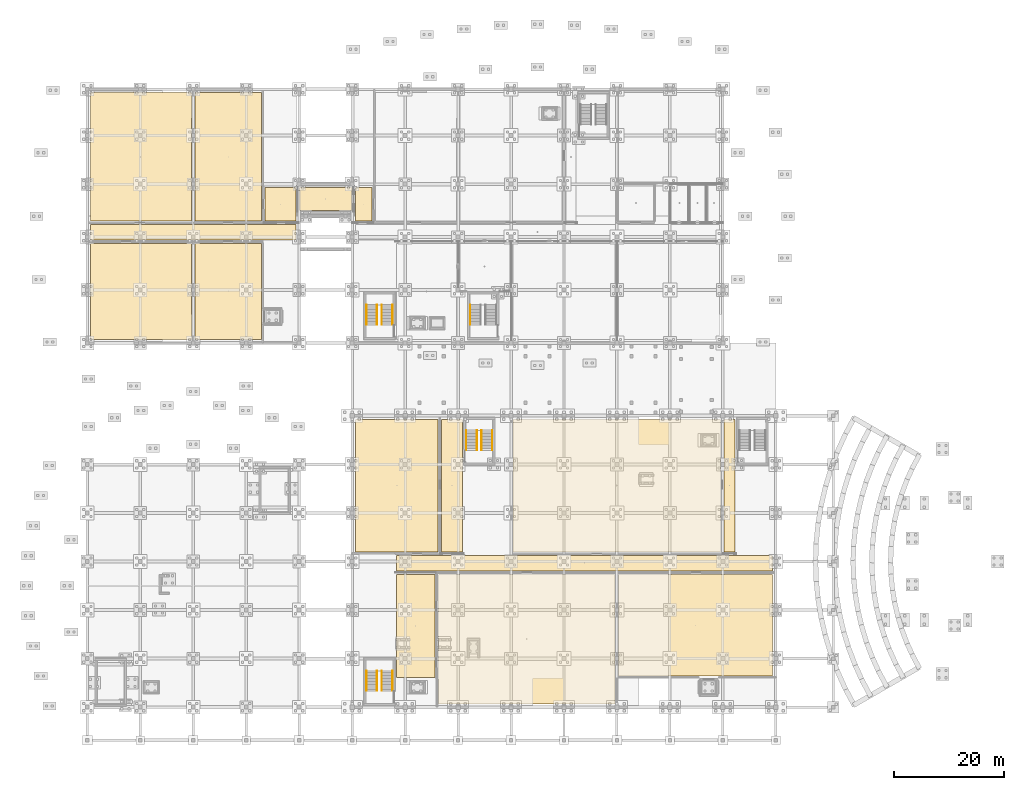
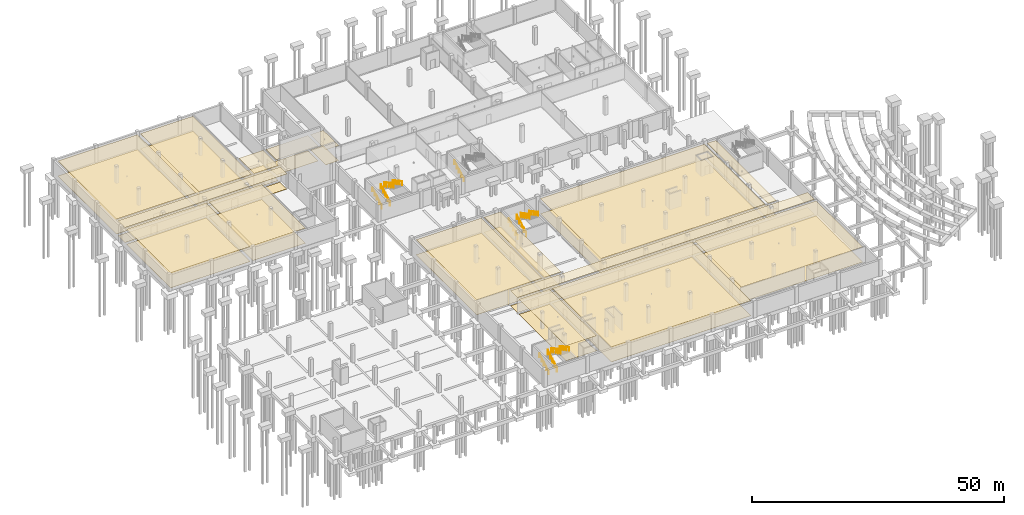
# One storey, part 29 of 31: 32 coverings, 13 railings, 4 elements without a shape of their own.
"""IFC4 building model written with IfcOpenShell, lengths in metres."""

import ifcopenshell
import ifcopenshell.guid

model = None  # the IFC model being written
_history = None  # IfcOwnerHistory: only IFC2X3 demands one
_inside = {}  # id of a spatial element -> (the spatial element, [elements in it])
_under = {}  # id of a project, library or spatial element -> (it, [spatial elements below it])
_declared = {}  # id of a project -> (the project, [libraries it declares])
_typed = {}  # id of a type object -> (the type object, [elements of that type])
_made_of = {}  # id of a material, layer set ... -> (it, [elements and type objects made of it])


def new_model(schema):
    """Start an empty IFC model of exactly this schema.

    Asked for "IFC4X3", IfcOpenShell would pick the latest addendum, in which some entities
    have other attributes; the version numbers below select the first issue.
    IFC2X3 requires an IfcOwnerHistory on every rooted entity: one is made here for all.
    """
    global model, _history
    if schema == "IFC4X3":
        model = ifcopenshell.file(schema_version=(4, 3, 0, 0))
    else:
        model = ifcopenshell.file(schema=schema)
    _inside.clear()
    _under.clear()
    _declared.clear()
    _typed.clear()
    _made_of.clear()
    _history = None
    if model.schema == "IFC2X3":
        org = make("IfcOrganization", Name="unknown")
        user = make(
            "IfcPersonAndOrganization",
            ThePerson=make("IfcPerson", FamilyName="unknown"),
            TheOrganization=org,
        )
        app = make(
            "IfcApplication",
            ApplicationDeveloper=org,
            Version="unknown",
            ApplicationFullName="unknown",
            ApplicationIdentifier="unknown",
        )
        _history = make(
            "IfcOwnerHistory",
            OwningUser=user,
            OwningApplication=app,
            ChangeAction="ADDED",
            CreationDate=0,
        )
    return model


def make(cls, **values):
    """One entity of the class cls with the attributes given. An attribute that is None is left unset."""
    return model.create_entity(
        cls, **{name: value for name, value in values.items() if value is not None}
    )


def rooted(cls, **values):
    """An entity with a GlobalId (a new one), such as an element, a storey or a relation."""
    return make(cls, GlobalId=ifcopenshell.guid.new(), OwnerHistory=_history, **values)


def si_unit(unit_type, name, prefix=None):
    """IfcSIUnit, for example si_unit("LENGTHUNIT", "METRE", prefix="MILLI")."""
    return make("IfcSIUnit", UnitType=unit_type, Prefix=prefix, Name=name)


def assignment(units):
    """IfcUnitAssignment: the units of a project."""
    return None if units is None else make("IfcUnitAssignment", Units=units)


def point(xyz):
    """IfcCartesianPoint."""
    return None if xyz is None else make("IfcCartesianPoint", Coordinates=xyz)


def direction(xyz):
    """IfcDirection."""
    return None if xyz is None else make("IfcDirection", DirectionRatios=xyz)


def frame(location, z_axis=None, x_axis=None):
    """IfcAxis2Placement3D, a coordinate frame: its origin and axes. An axis left out is left unset."""
    return make(
        "IfcAxis2Placement3D",
        Location=point(location),
        Axis=direction(z_axis),
        RefDirection=direction(x_axis),
    )


def frame_2d(location, x_axis=None):
    """IfcAxis2Placement2D, a coordinate frame in the plane: its origin and x axis."""
    return make(
        "IfcAxis2Placement2D", Location=point(location), RefDirection=direction(x_axis)
    )


def origin():
    """The frame at (0, 0, 0) with its axes left unset."""
    return frame((0.0, 0.0, 0.0))


def origin_2d():
    """The frame at (0, 0) in the plane with its x axis left unset."""
    return frame_2d((0.0, 0.0))


def place(relative_to, where):
    """IfcLocalPlacement: puts the frame where relative to a parent placement (None: the world)."""
    return make(
        "IfcLocalPlacement", PlacementRelTo=relative_to, RelativePlacement=where
    )


def context(
    kind, dimensions, precision=None, world=None, true_north=None, identifier=None
):
    """IfcGeometricRepresentationContext, for example the 3D "Model" context."""
    return make(
        "IfcGeometricRepresentationContext",
        ContextIdentifier=identifier,
        ContextType=kind,
        CoordinateSpaceDimension=dimensions,
        Precision=precision,
        WorldCoordinateSystem=world,
        TrueNorth=true_north,
    )


def subcontext(parent, identifier, kind, view, scale=None):
    """IfcGeometricRepresentationSubContext, for example "Body" below "Model"."""
    return make(
        "IfcGeometricRepresentationSubContext",
        ContextIdentifier=identifier,
        ContextType=kind,
        ParentContext=parent,
        TargetScale=scale,
        TargetView=view,
    )


def project(units=None, contexts=None):
    """IfcProject with its units and contexts."""
    return rooted(
        "IfcProject",
        Name="project",
        RepresentationContexts=contexts,
        UnitsInContext=assignment(units),
    )


def spatial(cls, under=None, at=None, **own):
    """A site, building, storey or space (cls), placed at a placement, below another one or the project."""
    s = rooted(cls, ObjectPlacement=at, **own)
    if under is not None:
        _under.setdefault(under.id(), (under, []))[1].append(s)
    return s


def polyline(points):
    """IfcPolyline through the points."""
    return make("IfcPolyline", Points=[point(p) for p in points])


def profile(cls, at=None, kind="AREA", **sizes):
    """A parametric profile (cls). Its sizes go by their IFC names, for example OverallWidth=200.0."""
    return make(cls, ProfileType=kind, Position=at, **sizes)


def circle(**sizes):
    """IfcCircleProfileDef."""
    return profile("IfcCircleProfileDef", **sizes)


def outline(outer, holes=None, kind="AREA"):
    """IfcArbitraryClosedProfileDef: a profile drawn as a closed curve; with holes, ...WithVoids."""
    if holes is None:
        return make("IfcArbitraryClosedProfileDef", ProfileType=kind, OuterCurve=outer)
    return make(
        "IfcArbitraryProfileDefWithVoids",
        ProfileType=kind,
        OuterCurve=outer,
        InnerCurves=holes,
    )


def extrude(swept, where, along, depth):
    """IfcExtrudedAreaSolid: the profile swept, set in the frame where, extruded along a direction by depth."""
    return make(
        "IfcExtrudedAreaSolid",
        SweptArea=swept,
        Position=where,
        ExtrudedDirection=direction(along),
        Depth=depth,
    )


def shape(context_of_items, identifier, shape_type, items):
    """IfcShapeRepresentation: the items that make up one representation, for example the "Body"."""
    return make(
        "IfcShapeRepresentation",
        ContextOfItems=context_of_items,
        RepresentationIdentifier=identifier,
        RepresentationType=shape_type,
        Items=items,
    )


def material(Name=None, Category=None):
    """IfcMaterial."""
    return make("IfcMaterial", Name=Name, Category=Category)


def layer(
    of_material, thickness, ventilated=None, Name=None, Category=None, Priority=None
):
    """IfcMaterialLayer: one layer of a wall or slab, of a material (None: an air gap)."""
    return make(
        "IfcMaterialLayer",
        Material=of_material,
        LayerThickness=thickness,
        IsVentilated=ventilated,
        Name=Name,
        Category=Category,
        Priority=Priority,
    )


def layer_set(layers, Name=None):
    """IfcMaterialLayerSet."""
    return make("IfcMaterialLayerSet", MaterialLayers=layers, LayerSetName=Name)


def made_of(thing, what):
    """Note that an element or type object is made of a material, layer set ...; save() writes the relation."""
    if what is not None:
        _made_of.setdefault(what.id(), (what, []))[1].append(thing)
    return thing


def type_object(cls, material=None, **own):
    """A type object (cls), such as IfcWallType, which elements share."""
    return made_of(rooted(cls, **own), material)


def element(
    cls,
    number,
    at=None,
    inside=None,
    cuts=None,
    type_object=None,
    material=None,
    context=None,
    identifier="Body",
    shape_type=None,
    held_by="IfcProductDefinitionShape",
    body=None,
    shapes=None,
    **own,
):
    """One element of the class cls, such as IfcWall. Its Tag is "e" and its number.

    at: its placement. inside: the storey or other place that contains it. cuts: it is an
    opening in that element (IfcRelVoidsElement). A single representation is given by context,
    identifier, shape_type and body (its items); several are given by shapes. held_by: the class
    of the entity that holds the representations. save() writes the other relations.
    """
    e = rooted(cls, Tag="e%d" % number, ObjectPlacement=at, **own)
    if body is not None:
        shapes = [shape(context, identifier, shape_type, body)]
    if shapes is not None:
        e.Representation = make(held_by, Representations=shapes)
    if inside is not None:
        _inside.setdefault(inside.id(), (inside, []))[1].append(e)
    if cuts is not None:
        rooted(
            "IfcRelVoidsElement", RelatingBuildingElement=cuts, RelatedOpeningElement=e
        )
    if type_object is not None:
        _typed.setdefault(type_object.id(), (type_object, []))[1].append(e)
    return made_of(e, material)


def aggregate(whole, parts):
    """IfcRelAggregates: a whole, such as a stair, and the parts it consists of."""
    return rooted("IfcRelAggregates", RelatingObject=whole, RelatedObjects=parts)


def save(model, path):
    """Write the relations noted so far, then the file.

    IfcRelAggregates (storeys below a building ...), IfcRelContainedInSpatialStructure (elements
    in a storey), IfcRelDefinesByType, IfcRelAssociatesMaterial and IfcRelDeclares: one each for
    every whole, place, type object, material and project.
    """
    for whole, parts in _under.values():
        aggregate(whole, parts)
    for where, things in _inside.values():
        rooted(
            "IfcRelContainedInSpatialStructure",
            RelatedElements=things,
            RelatingStructure=where,
        )
    for kind, things in _typed.values():
        rooted("IfcRelDefinesByType", RelatedObjects=things, RelatingType=kind)
    for what, things in _made_of.values():
        rooted("IfcRelAssociatesMaterial", RelatedObjects=things, RelatingMaterial=what)
    for by, libraries in _declared.values():
        rooted("IfcRelDeclares", RelatingContext=by, RelatedDefinitions=libraries)
    model.write(path)


model = new_model("IFC4")

# Units and contexts
model_context = context("Model", 3, precision=1e-05, world=origin(), true_north=direction((0.0, 1.0)))
body_context = subcontext(model_context, "Body", "Model", "MODEL_VIEW")
ifc_project = project(units=[si_unit("LENGTHUNIT", "METRE"), si_unit("AREAUNIT", "SQUARE_METRE"), si_unit("VOLUMEUNIT", "CUBIC_METRE"), si_unit("PLANEANGLEUNIT", "RADIAN"), si_unit("MASSUNIT", "GRAM", prefix="KILO")], contexts=[model_context])

# Site, building, storey
site_placement = place(None, origin())
site = spatial("IfcSite", under=ifc_project, at=site_placement, CompositionType="ELEMENT")
building_placement = place(site_placement, origin())
building = spatial("IfcBuilding", under=site, at=building_placement, Name="Chalmorin Arch Market", CompositionType="ELEMENT")
storey_placement = place(building_placement, frame((0.0, 0.0, -4.199951171875)))
storey = spatial("IfcBuildingStorey", under=building, at=storey_placement, Name="B1", CompositionType="ELEMENT", Elevation=-4.199951171875)

# Coverings
ifc_material_1 = material(Name="Mineral Fibre Acoustic Tile")
ifc_layer_1 = layer(ifc_material_1, 0.044921875)
ifc_layer_set_1 = layer_set([ifc_layer_1], Name="Mineral Fibre Acoustic Tile")
covering_type_1 = type_object("IfcCoveringType", Name="AcousticBaffleCeiling-45", PredefinedType="CEILING", material=ifc_layer_set_1)
covering_1_placement = place(storey_placement, frame((0.0, 0.0, 3.635009765625)))
element("IfcCovering", 1, at=covering_1_placement, inside=storey, type_object=covering_type_1, Name="CLG-01-002", PredefinedType="CEILING", context=body_context, shape_type="SweptSolid", body=[
    extrude(outline(polyline([(0.6201171875, 72.6201171875), (18.8798828125, 72.6201171875), (18.8798828125, 90.080078125), (0.6201171875, 90.080078125), (0.6201171875, 72.6201171875)])), origin(), (0.0, 0.0, 1.0), 0.044921875),
])
covering_2_placement = place(storey_placement, frame((0.0, 0.0, 3.635009765625)))
element("IfcCovering", 2, at=covering_2_placement, inside=storey, type_object=covering_type_1, Name="CLG-01-004", PredefinedType="CEILING", context=body_context, shape_type="SweptSolid", body=[
    extrude(outline(polyline([(19.52001953125, 72.6201171875), (31.580078125, 72.6201171875), (31.580078125, 90.080078125), (19.52001953125, 90.080078125), (19.52001953125, 72.6201171875)])), origin(), (0.0, 0.0, 1.0), 0.044921875),
])
covering_3_placement = place(storey_placement, frame((0.0, 0.0, 3.635009765625)))
element("IfcCovering", 3, at=covering_3_placement, inside=storey, type_object=covering_type_1, Name="CLG-01-006", PredefinedType="CEILING", context=body_context, shape_type="SweptSolid", body=[
    extrude(outline(polyline([(0.6201171875, 94.1201171875), (18.8798828125, 94.1201171875), (18.8798828125, 117.3798828125), (0.6201171875, 117.3798828125), (0.6201171875, 94.1201171875)])), origin(), (0.0, 0.0, 1.0), 0.044921875),
])
covering_4_placement = place(storey_placement, frame((0.0, 0.0, 3.635009765625)))
element("IfcCovering", 4, at=covering_4_placement, inside=storey, type_object=covering_type_1, Name="CLG-01-008", PredefinedType="CEILING", context=body_context, shape_type="SweptSolid", body=[
    extrude(outline(polyline([(19.52001953125, 94.1201171875), (31.580078125, 94.1201171875), (31.580078125, 117.3798828125), (19.52001953125, 117.3798828125), (19.52001953125, 94.1201171875)])), origin(), (0.0, 0.0, 1.0), 0.044921875),
])
covering_5_placement = place(storey_placement, frame((0.0, 0.0, 3.635009765625)))
element("IfcCovering", 5, at=covering_5_placement, inside=storey, type_object=covering_type_1, Name="CLG-01-010", PredefinedType="CEILING", context=body_context, shape_type="SweptSolid", body=[
    extrude(outline(polyline([(0.6201171875, 90.719970703125), (37.780029296875, 90.719970703125), (37.780029296875, 93.47998046875), (0.6201171875, 93.47998046875), (0.6201171875, 90.719970703125)])), origin(), (0.0, 0.0, 1.0), 0.044921875),
])
covering_6_placement = place(storey_placement, frame((0.0, 0.0, 3.635009765625)))
element("IfcCovering", 6, at=covering_6_placement, inside=storey, type_object=covering_type_1, Name="CLG-01-012", PredefinedType="CEILING", context=body_context, shape_type="SweptSolid", body=[
    extrude(outline(polyline([(32.219970703125, 94.1201171875), (37.780029296875, 94.1201171875), (37.780029296875, 100.179931640625), (32.219970703125, 100.179931640625), (32.219970703125, 94.1201171875)])), origin(), (0.0, 0.0, 1.0), 0.044921875),
])
covering_7_placement = place(storey_placement, frame((0.0, 0.0, 3.635009765625)))
element("IfcCovering", 7, at=covering_7_placement, inside=storey, type_object=covering_type_1, Name="CLG-01-014", PredefinedType="CEILING", context=body_context, shape_type="SweptSolid", body=[
    extrude(outline(polyline([(38.419921875, 96.02001953125), (47.97998046875, 96.02001953125), (47.97998046875, 100.179931640625), (38.419921875, 100.179931640625), (38.419921875, 96.02001953125)])), origin(), (0.0, 0.0, 1.0), 0.044921875),
])
covering_8_placement = place(storey_placement, frame((0.0, 0.0, 3.635009765625)))
element("IfcCovering", 8, at=covering_8_placement, inside=storey, type_object=covering_type_1, Name="CLG-01-016", PredefinedType="CEILING", context=body_context, shape_type="SweptSolid", body=[
    extrude(outline(polyline([(48.6201171875, 94.1201171875), (51.580078125, 94.1201171875), (51.580078125, 100.179931640625), (48.6201171875, 100.179931640625), (48.6201171875, 94.1201171875)])), origin(), (0.0, 0.0, 1.0), 0.044921875),
])
covering_9_placement = place(storey_placement, frame((0.0, 0.0, 3.635009765625)))
element("IfcCovering", 9, at=covering_9_placement, inside=storey, type_object=covering_type_1, Name="CLG-01-041", PredefinedType="CEILING", context=body_context, shape_type="SweptSolid", body=[
    extrude(outline(polyline([(56.02001953125, 11.419921875), (62.97998046875, 11.419921875), (62.97998046875, 30.080078125), (56.02001953125, 30.080078125), (56.02001953125, 11.419921875)])), origin(), (0.0, 0.0, 1.0), 0.044921875),
])
covering_10_placement = place(storey_placement, frame((0.0, 0.0, 3.635009765625)))
element("IfcCovering", 10, at=covering_10_placement, inside=storey, type_object=covering_type_1, Name="CLG-01-043", PredefinedType="CEILING", context=body_context, shape_type="SweptSolid", body=[
    extrude(outline(polyline([(63.6201171875, 6.6201171875), (95.679931640625, 6.6201171875), (95.679931640625, 30.080078125), (63.6201171875, 30.080078125), (63.6201171875, 6.6201171875)])), origin(), (0.0, 0.0, 1.0), 0.044921875),
])
covering_11_placement = place(storey_placement, frame((0.0, 0.0, 3.635009765625)))
element("IfcCovering", 11, at=covering_11_placement, inside=storey, type_object=covering_type_1, Name="CLG-01-045", PredefinedType="CEILING", context=body_context, shape_type="SweptSolid", body=[
    extrude(outline(polyline([(96.320068359375, 11.6201171875), (124.179931640625, 11.6201171875), (124.179931640625, 30.080078125), (96.320068359375, 30.080078125), (96.320068359375, 11.6201171875)])), origin(), (0.0, 0.0, 1.0), 0.044921875),
])
covering_12_placement = place(storey_placement, frame((0.0, 0.0, 3.635009765625)))
element("IfcCovering", 12, at=covering_12_placement, inside=storey, type_object=covering_type_1, Name="CLG-01-047", PredefinedType="CEILING", context=body_context, shape_type="SweptSolid", body=[
    extrude(outline(polyline([(56.02001953125, 30.719970703125), (124.179931640625, 30.719970703125), (124.179931640625, 33.47998046875), (56.02001953125, 33.47998046875), (56.02001953125, 30.719970703125)])), origin(), (0.0, 0.0, 1.0), 0.044921875),
])
covering_13_placement = place(storey_placement, frame((0.0, 0.0, 3.635009765625)))
element("IfcCovering", 13, at=covering_13_placement, inside=storey, type_object=covering_type_1, Name="CLG-01-049", PredefinedType="CEILING", context=body_context, shape_type="SweptSolid", body=[
    extrude(outline(polyline([(115.419921875, 34.1201171875), (117.3798828125, 34.1201171875), (117.3798828125, 58.179931640625), (115.419921875, 58.179931640625), (115.419921875, 34.1201171875)])), origin(), (0.0, 0.0, 1.0), 0.044921875),
])
covering_14_placement = place(storey_placement, frame((0.0, 0.0, 3.635009765625)))
element("IfcCovering", 14, at=covering_14_placement, inside=storey, type_object=covering_type_1, Name="CLG-01-051", PredefinedType="CEILING", context=body_context, shape_type="SweptSolid", body=[
    extrude(outline(polyline([(64.219970703125, 34.1201171875), (67.97998046875, 34.1201171875), (67.97998046875, 58.179931640625), (64.219970703125, 58.179931640625), (64.219970703125, 34.1201171875)])), origin(), (0.0, 0.0, 1.0), 0.044921875),
])
covering_15_placement = place(storey_placement, frame((0.0, 0.0, 3.635009765625)))
element("IfcCovering", 15, at=covering_15_placement, inside=storey, type_object=covering_type_1, Name="CLG-01-053", PredefinedType="CEILING", context=body_context, shape_type="SweptSolid", body=[
    extrude(outline(polyline([(48.6201171875, 34.1201171875), (63.580078125, 34.1201171875), (63.580078125, 58.179931640625), (48.6201171875, 58.179931640625), (48.6201171875, 34.1201171875)])), origin(), (0.0, 0.0, 1.0), 0.044921875),
])
covering_16_placement = place(storey_placement, frame((0.0, 0.0, 3.635009765625)))
element("IfcCovering", 16, at=covering_16_placement, inside=storey, type_object=covering_type_1, Name="CLG-01-055", PredefinedType="CEILING", context=body_context, shape_type="SweptSolid", body=[
    extrude(outline(polyline([(77.1201171875, 34.1201171875), (114.780029296875, 34.1201171875), (114.780029296875, 58.179931640625), (77.1201171875, 58.179931640625), (77.1201171875, 34.1201171875)])), origin(), (0.0, 0.0, 1.0), 0.044921875),
])
ifc_material_2 = material(Name="Epoxy Resin Flooring")
ifc_layer_2 = layer(ifc_material_2, 0.02001953125)
ifc_layer_set_2 = layer_set([ifc_layer_2], Name="Epoxy Resin Flooring")
covering_type_2 = type_object("IfcCoveringType", Name="EpoxySlipResistantKitchenFloor-20", PredefinedType="FLOORING", material=ifc_layer_set_2)
covering_17_placement = place(storey_placement, origin())
element("IfcCovering", 17, at=covering_17_placement, inside=storey, type_object=covering_type_2, Name="FLR-02-001", PredefinedType="FLOORING", context=body_context, shape_type="SweptSolid", body=[
    extrude(outline(polyline([(0.6201171875, 72.6201171875), (18.8798828125, 72.6201171875), (18.8798828125, 90.080078125), (0.6201171875, 90.080078125), (0.6201171875, 72.6201171875)])), origin(), (0.0, 0.0, 1.0), 0.02001953125),
])
covering_18_placement = place(storey_placement, origin())
element("IfcCovering", 18, at=covering_18_placement, inside=storey, type_object=covering_type_2, Name="FLR-02-003", PredefinedType="FLOORING", context=body_context, shape_type="SweptSolid", body=[
    extrude(outline(polyline([(19.52001953125, 72.6201171875), (31.580078125, 72.6201171875), (31.580078125, 90.080078125), (19.52001953125, 90.080078125), (19.52001953125, 72.6201171875)])), origin(), (0.0, 0.0, 1.0), 0.02001953125),
])
covering_19_placement = place(storey_placement, origin())
element("IfcCovering", 19, at=covering_19_placement, inside=storey, type_object=covering_type_2, Name="FLR-02-005", PredefinedType="FLOORING", context=body_context, shape_type="SweptSolid", body=[
    extrude(outline(polyline([(0.6201171875, 94.1201171875), (18.8798828125, 94.1201171875), (18.8798828125, 117.3798828125), (0.6201171875, 117.3798828125), (0.6201171875, 94.1201171875)])), origin(), (0.0, 0.0, 1.0), 0.02001953125),
])
covering_20_placement = place(storey_placement, origin())
element("IfcCovering", 20, at=covering_20_placement, inside=storey, type_object=covering_type_2, Name="FLR-02-007", PredefinedType="FLOORING", context=body_context, shape_type="SweptSolid", body=[
    extrude(outline(polyline([(19.52001953125, 94.1201171875), (31.580078125, 94.1201171875), (31.580078125, 117.3798828125), (19.52001953125, 117.3798828125), (19.52001953125, 94.1201171875)])), origin(), (0.0, 0.0, 1.0), 0.02001953125),
])
covering_21_placement = place(storey_placement, origin())
element("IfcCovering", 21, at=covering_21_placement, inside=storey, type_object=covering_type_2, Name="FLR-02-042", PredefinedType="FLOORING", context=body_context, shape_type="SweptSolid", body=[
    extrude(outline(polyline([(63.6201171875, 6.6201171875), (95.679931640625, 6.6201171875), (95.679931640625, 30.080078125), (63.6201171875, 30.080078125), (63.6201171875, 6.6201171875)])), origin(), (0.0, 0.0, 1.0), 0.02001953125),
])
covering_22_placement = place(storey_placement, origin())
element("IfcCovering", 22, at=covering_22_placement, inside=storey, type_object=covering_type_2, Name="FLR-02-044", PredefinedType="FLOORING", context=body_context, shape_type="SweptSolid", body=[
    extrude(outline(polyline([(96.320068359375, 11.6201171875), (124.179931640625, 11.6201171875), (124.179931640625, 30.080078125), (96.320068359375, 30.080078125), (96.320068359375, 11.6201171875)])), origin(), (0.0, 0.0, 1.0), 0.02001953125),
])
covering_23_placement = place(storey_placement, origin())
element("IfcCovering", 23, at=covering_23_placement, inside=storey, type_object=covering_type_2, Name="FLR-02-052", PredefinedType="FLOORING", context=body_context, shape_type="SweptSolid", body=[
    extrude(outline(polyline([(48.6201171875, 34.1201171875), (63.580078125, 34.1201171875), (63.580078125, 58.179931640625), (48.6201171875, 58.179931640625), (48.6201171875, 34.1201171875)])), origin(), (0.0, 0.0, 1.0), 0.02001953125),
])
covering_24_placement = place(storey_placement, origin())
element("IfcCovering", 24, at=covering_24_placement, inside=storey, type_object=covering_type_2, Name="FLR-02-054", PredefinedType="FLOORING", context=body_context, shape_type="SweptSolid", body=[
    extrude(outline(polyline([(77.1201171875, 34.1201171875), (114.780029296875, 34.1201171875), (114.780029296875, 58.179931640625), (77.1201171875, 58.179931640625), (77.1201171875, 34.1201171875)])), origin(), (0.0, 0.0, 1.0), 0.02001953125),
])

# Stair, railings
ifc_material_3 = material(Name="Concrete C40/50", Category="concrete")
stair_type_1 = type_object("IfcStairType", Name="DoglegExitStair-28R-SC3", PredefinedType="HALF_TURN_STAIR", material=ifc_material_3)
stair_1_placement = place(storey_placement, origin())
stair_1 = element("IfcStair", 25, at=stair_1_placement, inside=storey, type_object=stair_type_1, Name="ST-05", PredefinedType="HALF_TURN_STAIR")
ifc_material_4 = material(Name="Stainless Steel 316", Category="steel")
ifc_layer_3 = layer(ifc_material_4, 0.048095703125)
ifc_layer_set_3 = layer_set([ifc_layer_3], Name="Stainless Steel 316")
railing_type_1 = type_object("IfcRailingType", Name="StairTubeHandrail-920", PredefinedType="HANDRAIL", material=ifc_layer_set_3)
railing_1_placement = place(storey_placement, frame((50.60009765625, 8.9599609375, 0.14990234375)))
railing_1 = element("IfcRailing", 26, at=railing_1_placement, type_object=railing_type_1, Name="HR-01-020", PredefinedType="HANDRAIL", context=body_context, shape_type="SweptSolid", body=[
    extrude(circle(Radius=0.02392578125, at=origin_2d()), frame((0.0, 0.0, 0.89599609375), z_axis=(0.0, 0.881492274372, 0.472198443689), x_axis=(-1.0, 0.0, 0.0)), (0.0, 0.0, 1.0), 4.12939453125),
    extrude(circle(Radius=0.02099609375, at=origin_2d()), origin(), (0.0, 0.0, 1.0), 0.871826171875),
    extrude(circle(Radius=0.02099609375, at=origin_2d()), frame((0.0, 0.91015625, 0.487548828125)), (0.0, 0.0, 1.0), 0.871826171875),
    extrude(circle(Radius=0.02099609375, at=origin_2d()), frame((0.0, 1.820068359375, 0.97509765625)), (0.0, 0.0, 1.0), 0.871826171875),
    extrude(circle(Radius=0.02099609375, at=origin_2d()), frame((0.0, 2.72998046875, 1.46240234375)), (0.0, 0.0, 1.0), 0.871826171875),
    extrude(circle(Radius=0.02099609375, at=origin_2d()), frame((0.0, 3.64013671875, 1.949951171875)), (0.0, 0.0, 1.0), 0.871826171875),
])
railing_2_placement = place(storey_placement, frame((55.300048828125, 12.60009765625, 2.25)))
railing_2 = element("IfcRailing", 27, at=railing_2_placement, type_object=railing_type_1, Name="HR-01-023", PredefinedType="HANDRAIL", context=body_context, shape_type="SweptSolid", body=[
    extrude(circle(Radius=0.02392578125, at=origin_2d()), frame((0.0, 0.0, 0.89599609375), z_axis=(0.0, -0.881492274372, 0.472198443689), x_axis=(1.0, 0.0, 0.0)), (0.0, 0.0, 1.0), 4.12939453125),
    extrude(circle(Radius=0.02099609375, at=origin_2d()), origin(), (0.0, 0.0, 1.0), 0.871826171875),
    extrude(circle(Radius=0.02099609375, at=origin_2d()), frame((0.0, -0.91015625, 0.487548828125)), (0.0, 0.0, 1.0), 0.871826171875),
    extrude(circle(Radius=0.02099609375, at=origin_2d()), frame((0.0, -1.820068359375, 0.97509765625)), (0.0, 0.0, 1.0), 0.871826171875),
    extrude(circle(Radius=0.02099609375, at=origin_2d()), frame((0.0, -2.72998046875, 1.46240234375)), (0.0, 0.0, 1.0), 0.871826171875),
    extrude(circle(Radius=0.02099609375, at=origin_2d()), frame((0.0, -3.64013671875, 1.949951171875)), (0.0, 0.0, 1.0), 0.871826171875),
])

stair_type_2 = type_object("IfcStairType", Name="DoglegExitStair-28R-SC5", PredefinedType="HALF_TURN_STAIR", material=ifc_material_3)
stair_2_placement = place(storey_placement, origin())
stair_2 = element("IfcStair", 28, at=stair_2_placement, inside=storey, type_object=stair_type_2, Name="ST-11", PredefinedType="HALF_TURN_STAIR")
railing_3_placement = place(storey_placement, frame((50.60009765625, 75.31005859375, 0.14990234375)))
railing_3 = element("IfcRailing", 29, at=railing_3_placement, type_object=railing_type_1, Name="HR-01-046", PredefinedType="HANDRAIL", context=body_context, shape_type="SweptSolid", body=[
    extrude(circle(Radius=0.02392578125, at=origin_2d()), frame((0.0, 0.0, 0.89599609375), z_axis=(0.0, 0.881479091078, 0.472223053219), x_axis=(-1.0, 0.0, 0.0)), (0.0, 0.0, 1.0), 4.12939453125),
    extrude(circle(Radius=0.02099609375, at=origin_2d()), origin(), (0.0, 0.0, 1.0), 0.871826171875),
    extrude(circle(Radius=0.02099609375, at=origin_2d()), frame((0.0, 0.909912109375, 0.487548828125)), (0.0, 0.0, 1.0), 0.871826171875),
    extrude(circle(Radius=0.02099609375, at=origin_2d()), frame((0.0, 1.81982421875, 0.97509765625)), (0.0, 0.0, 1.0), 0.871826171875),
    extrude(circle(Radius=0.02099609375, at=origin_2d()), frame((0.0, 2.72998046875, 1.46240234375)), (0.0, 0.0, 1.0), 0.871826171875),
    extrude(circle(Radius=0.02099609375, at=origin_2d()), frame((0.0, 3.639892578125, 1.949951171875)), (0.0, 0.0, 1.0), 0.871826171875),
])
railing_4_placement = place(storey_placement, frame((55.300048828125, 78.949951171875, 2.25)))
railing_4 = element("IfcRailing", 30, at=railing_4_placement, type_object=railing_type_1, Name="HR-01-049", PredefinedType="HANDRAIL", context=body_context, shape_type="SweptSolid", body=[
    extrude(circle(Radius=0.02392578125, at=origin_2d()), frame((0.0, 0.0, 0.89599609375), z_axis=(0.0, -0.881479091078, 0.472223053219), x_axis=(1.0, 0.0, 0.0)), (0.0, 0.0, 1.0), 4.12939453125),
    extrude(circle(Radius=0.02099609375, at=origin_2d()), origin(), (0.0, 0.0, 1.0), 0.871826171875),
    extrude(circle(Radius=0.02099609375, at=origin_2d()), frame((0.0, -0.909912109375, 0.487548828125)), (0.0, 0.0, 1.0), 0.871826171875),
    extrude(circle(Radius=0.02099609375, at=origin_2d()), frame((0.0, -1.81982421875, 0.97509765625)), (0.0, 0.0, 1.0), 0.871826171875),
    extrude(circle(Radius=0.02099609375, at=origin_2d()), frame((0.0, -2.72998046875, 1.46240234375)), (0.0, 0.0, 1.0), 0.871826171875),
    extrude(circle(Radius=0.02099609375, at=origin_2d()), frame((0.0, -3.639892578125, 1.949951171875)), (0.0, 0.0, 1.0), 0.871826171875),
])

# Stair, railing
stair_type_3 = type_object("IfcStairType", Name="DoglegExitStair-28R-SC7", PredefinedType="HALF_TURN_STAIR", material=ifc_material_3)
stair_3_placement = place(storey_placement, origin())
stair_3 = element("IfcStair", 31, at=stair_3_placement, inside=storey, type_object=stair_type_3, Name="ST-19", PredefinedType="HALF_TURN_STAIR")
railing_5_placement = place(storey_placement, frame((69.39990234375, 75.31005859375, 0.14990234375)))
railing_5 = element("IfcRailing", 32, at=railing_5_placement, type_object=railing_type_1, Name="HR-01-080", PredefinedType="HANDRAIL", context=body_context, shape_type="SweptSolid", body=[
    extrude(circle(Radius=0.02392578125, at=origin_2d()), frame((0.0, 0.0, 0.89599609375), z_axis=(0.0, 0.881479091078, 0.472223053219), x_axis=(-1.0, 0.0, 0.0)), (0.0, 0.0, 1.0), 4.12939453125),
    extrude(circle(Radius=0.02099609375, at=origin_2d()), origin(), (0.0, 0.0, 1.0), 0.871826171875),
    extrude(circle(Radius=0.02099609375, at=origin_2d()), frame((0.0, 0.909912109375, 0.487548828125)), (0.0, 0.0, 1.0), 0.871826171875),
    extrude(circle(Radius=0.02099609375, at=origin_2d()), frame((0.0, 1.81982421875, 0.97509765625)), (0.0, 0.0, 1.0), 0.871826171875),
    extrude(circle(Radius=0.02099609375, at=origin_2d()), frame((0.0, 2.72998046875, 1.46240234375)), (0.0, 0.0, 1.0), 0.871826171875),
    extrude(circle(Radius=0.02099609375, at=origin_2d()), frame((0.0, 3.639892578125, 1.949951171875)), (0.0, 0.0, 1.0), 0.871826171875),
])
aggregate(stair_3, [railing_5])

# Stair, railings
stair_type_4 = type_object("IfcStairType", Name="DoglegExitStair-28R-SC8", PredefinedType="HALF_TURN_STAIR", material=ifc_material_3)
stair_4_placement = place(storey_placement, origin())
stair_4 = element("IfcStair", 33, at=stair_4_placement, inside=storey, type_object=stair_type_4, Name="ST-23", PredefinedType="HALF_TURN_STAIR")
railing_6_placement = place(storey_placement, frame((68.699951171875, 52.56005859375, 0.14990234375)))
railing_6 = element("IfcRailing", 34, at=railing_6_placement, type_object=railing_type_1, Name="HR-01-097", PredefinedType="HANDRAIL", context=body_context, shape_type="SweptSolid", body=[
    extrude(circle(Radius=0.02392578125, at=origin_2d()), frame((0.0, 0.0, 0.89599609375), z_axis=(0.0, 0.881479091078, 0.472223053219), x_axis=(-1.0, 0.0, 0.0)), (0.0, 0.0, 1.0), 4.12939453125),
    extrude(circle(Radius=0.02099609375, at=origin_2d()), origin(), (0.0, 0.0, 1.0), 0.871826171875),
    extrude(circle(Radius=0.02099609375, at=origin_2d()), frame((0.0, 0.909912109375, 0.487548828125)), (0.0, 0.0, 1.0), 0.871826171875),
    extrude(circle(Radius=0.02099609375, at=origin_2d()), frame((0.0, 1.81982421875, 0.97509765625)), (0.0, 0.0, 1.0), 0.871826171875),
    extrude(circle(Radius=0.02099609375, at=origin_2d()), frame((0.0, 2.72998046875, 1.46240234375)), (0.0, 0.0, 1.0), 0.871826171875),
    extrude(circle(Radius=0.02099609375, at=origin_2d()), frame((0.0, 3.639892578125, 1.949951171875)), (0.0, 0.0, 1.0), 0.871826171875),
])
railing_7_placement = place(storey_placement, frame((73.39990234375, 56.199951171875, 2.25)))
railing_7 = element("IfcRailing", 35, at=railing_7_placement, type_object=railing_type_1, Name="HR-01-100", PredefinedType="HANDRAIL", context=body_context, shape_type="SweptSolid", body=[
    extrude(circle(Radius=0.02392578125, at=origin_2d()), frame((0.0, 0.0, 0.89599609375), z_axis=(0.0, -0.881479091078, 0.472223053219), x_axis=(1.0, 0.0, 0.0)), (0.0, 0.0, 1.0), 4.12939453125),
    extrude(circle(Radius=0.02099609375, at=origin_2d()), origin(), (0.0, 0.0, 1.0), 0.871826171875),
    extrude(circle(Radius=0.02099609375, at=origin_2d()), frame((0.0, -0.909912109375, 0.487548828125)), (0.0, 0.0, 1.0), 0.871826171875),
    extrude(circle(Radius=0.02099609375, at=origin_2d()), frame((0.0, -1.81982421875, 0.97509765625)), (0.0, 0.0, 1.0), 0.871826171875),
    extrude(circle(Radius=0.02099609375, at=origin_2d()), frame((0.0, -2.72998046875, 1.46240234375)), (0.0, 0.0, 1.0), 0.871826171875),
    extrude(circle(Radius=0.02099609375, at=origin_2d()), frame((0.0, -3.639892578125, 1.949951171875)), (0.0, 0.0, 1.0), 0.871826171875),
])

# Railing
ifc_material_5 = material(Name="Galvanised Steel", Category="steel")
ifc_layer_4 = layer(ifc_material_5, 0.054931640625)
ifc_layer_set_4 = layer_set([ifc_layer_4], Name="Galvanised Steel")
railing_type_2 = type_object("IfcRailingType", Name="StairWellGuardrail-1100", PredefinedType="GUARDRAIL", material=ifc_layer_set_4)
railing_8_placement = place(storey_placement, frame((52.530029296875, 8.9599609375, 0.14990234375)))
railing_8 = element("IfcRailing", 36, at=railing_8_placement, type_object=railing_type_2, Name="SG-01-021", PredefinedType="GUARDRAIL", context=body_context, shape_type="SweptSolid", body=[
    extrude(circle(Radius=0.02392578125, at=origin_2d()), frame((0.0, 0.0, 1.076171875), z_axis=(0.0, 0.881492274372, 0.472198443689), x_axis=(-1.0, 0.0, 0.0)), (0.0, 0.0, 1.0), 4.12939453125),
    extrude(circle(Radius=0.02099609375, at=origin_2d()), origin(), (0.0, 0.0, 1.0), 1.052001953125),
    extrude(circle(Radius=0.02099609375, at=origin_2d()), frame((0.0, 0.91015625, 0.487548828125)), (0.0, 0.0, 1.0), 1.052001953125),
    extrude(circle(Radius=0.02099609375, at=origin_2d()), frame((0.0, 1.820068359375, 0.97509765625)), (0.0, 0.0, 1.0), 1.052001953125),
    extrude(circle(Radius=0.02099609375, at=origin_2d()), frame((0.0, 2.72998046875, 1.46240234375)), (0.0, 0.0, 1.0), 1.052001953125),
    extrude(circle(Radius=0.02099609375, at=origin_2d()), frame((0.0, 3.64013671875, 1.949951171875)), (0.0, 0.0, 1.0), 1.052001953125),
])

railing_9_placement = place(storey_placement, frame((53.3701171875, 12.60009765625, 2.25)))
railing_9 = element("IfcRailing", 37, at=railing_9_placement, type_object=railing_type_2, Name="SG-01-022", PredefinedType="GUARDRAIL", context=body_context, shape_type="SweptSolid", body=[
    extrude(circle(Radius=0.02392578125, at=origin_2d()), frame((0.0, 0.0, 1.076171875), z_axis=(0.0, -0.881492274372, 0.472198443689), x_axis=(1.0, 0.0, 0.0)), (0.0, 0.0, 1.0), 4.12939453125),
    extrude(circle(Radius=0.02099609375, at=origin_2d()), origin(), (0.0, 0.0, 1.0), 1.052001953125),
    extrude(circle(Radius=0.02099609375, at=origin_2d()), frame((0.0, -0.91015625, 0.487548828125)), (0.0, 0.0, 1.0), 1.052001953125),
    extrude(circle(Radius=0.02099609375, at=origin_2d()), frame((0.0, -1.820068359375, 0.97509765625)), (0.0, 0.0, 1.0), 1.052001953125),
    extrude(circle(Radius=0.02099609375, at=origin_2d()), frame((0.0, -2.72998046875, 1.46240234375)), (0.0, 0.0, 1.0), 1.052001953125),
    extrude(circle(Radius=0.02099609375, at=origin_2d()), frame((0.0, -3.64013671875, 1.949951171875)), (0.0, 0.0, 1.0), 1.052001953125),
])

aggregate(stair_1, [railing_1, railing_8, railing_9, railing_2])

railing_10_placement = place(storey_placement, frame((52.530029296875, 75.31005859375, 0.14990234375)))
railing_10 = element("IfcRailing", 38, at=railing_10_placement, type_object=railing_type_2, Name="SG-01-047", PredefinedType="GUARDRAIL", context=body_context, shape_type="SweptSolid", body=[
    extrude(circle(Radius=0.02392578125, at=origin_2d()), frame((0.0, 0.0, 1.076171875), z_axis=(0.0, 0.881479091078, 0.472223053219), x_axis=(-1.0, 0.0, 0.0)), (0.0, 0.0, 1.0), 4.12939453125),
    extrude(circle(Radius=0.02099609375, at=origin_2d()), origin(), (0.0, 0.0, 1.0), 1.052001953125),
    extrude(circle(Radius=0.02099609375, at=origin_2d()), frame((0.0, 0.909912109375, 0.487548828125)), (0.0, 0.0, 1.0), 1.052001953125),
    extrude(circle(Radius=0.02099609375, at=origin_2d()), frame((0.0, 1.81982421875, 0.97509765625)), (0.0, 0.0, 1.0), 1.052001953125),
    extrude(circle(Radius=0.02099609375, at=origin_2d()), frame((0.0, 2.72998046875, 1.46240234375)), (0.0, 0.0, 1.0), 1.052001953125),
    extrude(circle(Radius=0.02099609375, at=origin_2d()), frame((0.0, 3.639892578125, 1.949951171875)), (0.0, 0.0, 1.0), 1.052001953125),
])

railing_11_placement = place(storey_placement, frame((53.3701171875, 78.949951171875, 2.25)))
railing_11 = element("IfcRailing", 39, at=railing_11_placement, type_object=railing_type_2, Name="SG-01-048", PredefinedType="GUARDRAIL", context=body_context, shape_type="SweptSolid", body=[
    extrude(circle(Radius=0.02392578125, at=origin_2d()), frame((0.0, 0.0, 1.076171875), z_axis=(0.0, -0.881479091078, 0.472223053219), x_axis=(1.0, 0.0, 0.0)), (0.0, 0.0, 1.0), 4.12939453125),
    extrude(circle(Radius=0.02099609375, at=origin_2d()), origin(), (0.0, 0.0, 1.0), 1.052001953125),
    extrude(circle(Radius=0.02099609375, at=origin_2d()), frame((0.0, -0.909912109375, 0.487548828125)), (0.0, 0.0, 1.0), 1.052001953125),
    extrude(circle(Radius=0.02099609375, at=origin_2d()), frame((0.0, -1.81982421875, 0.97509765625)), (0.0, 0.0, 1.0), 1.052001953125),
    extrude(circle(Radius=0.02099609375, at=origin_2d()), frame((0.0, -2.72998046875, 1.46240234375)), (0.0, 0.0, 1.0), 1.052001953125),
    extrude(circle(Radius=0.02099609375, at=origin_2d()), frame((0.0, -3.639892578125, 1.949951171875)), (0.0, 0.0, 1.0), 1.052001953125),
])

aggregate(stair_2, [railing_3, railing_10, railing_11, railing_4])

railing_12_placement = place(storey_placement, frame((70.6298828125, 52.56005859375, 0.14990234375)))
railing_12 = element("IfcRailing", 40, at=railing_12_placement, type_object=railing_type_2, Name="SG-01-098", PredefinedType="GUARDRAIL", context=body_context, shape_type="SweptSolid", body=[
    extrude(circle(Radius=0.02392578125, at=origin_2d()), frame((0.0, 0.0, 1.076171875), z_axis=(0.0, 0.881479091078, 0.472223053219), x_axis=(-1.0, 0.0, 0.0)), (0.0, 0.0, 1.0), 4.12939453125),
    extrude(circle(Radius=0.02099609375, at=origin_2d()), origin(), (0.0, 0.0, 1.0), 1.052001953125),
    extrude(circle(Radius=0.02099609375, at=origin_2d()), frame((0.0, 0.909912109375, 0.487548828125)), (0.0, 0.0, 1.0), 1.052001953125),
    extrude(circle(Radius=0.02099609375, at=origin_2d()), frame((0.0, 1.81982421875, 0.97509765625)), (0.0, 0.0, 1.0), 1.052001953125),
    extrude(circle(Radius=0.02099609375, at=origin_2d()), frame((0.0, 2.72998046875, 1.46240234375)), (0.0, 0.0, 1.0), 1.052001953125),
    extrude(circle(Radius=0.02099609375, at=origin_2d()), frame((0.0, 3.639892578125, 1.949951171875)), (0.0, 0.0, 1.0), 1.052001953125),
])

railing_13_placement = place(storey_placement, frame((71.469970703125, 56.199951171875, 2.25)))
railing_13 = element("IfcRailing", 41, at=railing_13_placement, type_object=railing_type_2, Name="SG-01-099", PredefinedType="GUARDRAIL", context=body_context, shape_type="SweptSolid", body=[
    extrude(circle(Radius=0.02392578125, at=origin_2d()), frame((0.0, 0.0, 1.076171875), z_axis=(0.0, -0.881479091078, 0.472223053219), x_axis=(1.0, 0.0, 0.0)), (0.0, 0.0, 1.0), 4.12939453125),
    extrude(circle(Radius=0.02099609375, at=origin_2d()), origin(), (0.0, 0.0, 1.0), 1.052001953125),
    extrude(circle(Radius=0.02099609375, at=origin_2d()), frame((0.0, -0.909912109375, 0.487548828125)), (0.0, 0.0, 1.0), 1.052001953125),
    extrude(circle(Radius=0.02099609375, at=origin_2d()), frame((0.0, -1.81982421875, 0.97509765625)), (0.0, 0.0, 1.0), 1.052001953125),
    extrude(circle(Radius=0.02099609375, at=origin_2d()), frame((0.0, -2.72998046875, 1.46240234375)), (0.0, 0.0, 1.0), 1.052001953125),
    extrude(circle(Radius=0.02099609375, at=origin_2d()), frame((0.0, -3.639892578125, 1.949951171875)), (0.0, 0.0, 1.0), 1.052001953125),
])

aggregate(stair_4, [railing_6, railing_12, railing_13, railing_7])

# Coverings
ifc_material_6 = material(Name="Polished Terrazzo")
ifc_layer_5 = layer(ifc_material_6, 0.02490234375)
ifc_layer_set_5 = layer_set([ifc_layer_5], Name="Polished Terrazzo")
covering_type_3 = type_object("IfcCoveringType", Name="TerrazzoMarketFloorFinish-25", PredefinedType="FLOORING", material=ifc_layer_set_5)
covering_25_placement = place(storey_placement, origin())
element("IfcCovering", 42, at=covering_25_placement, inside=storey, type_object=covering_type_3, Name="FLR-01-009", PredefinedType="FLOORING", context=body_context, shape_type="SweptSolid", body=[
    extrude(outline(polyline([(0.6201171875, 90.719970703125), (37.780029296875, 90.719970703125), (37.780029296875, 93.47998046875), (0.6201171875, 93.47998046875), (0.6201171875, 90.719970703125)])), origin(), (0.0, 0.0, 1.0), 0.02490234375),
])
covering_26_placement = place(storey_placement, origin())
element("IfcCovering", 43, at=covering_26_placement, inside=storey, type_object=covering_type_3, Name="FLR-01-011", PredefinedType="FLOORING", context=body_context, shape_type="SweptSolid", body=[
    extrude(outline(polyline([(32.219970703125, 94.1201171875), (37.780029296875, 94.1201171875), (37.780029296875, 100.179931640625), (32.219970703125, 100.179931640625), (32.219970703125, 94.1201171875)])), origin(), (0.0, 0.0, 1.0), 0.02490234375),
])
covering_27_placement = place(storey_placement, origin())
element("IfcCovering", 44, at=covering_27_placement, inside=storey, type_object=covering_type_3, Name="FLR-01-013", PredefinedType="FLOORING", context=body_context, shape_type="SweptSolid", body=[
    extrude(outline(polyline([(38.419921875, 96.02001953125), (47.97998046875, 96.02001953125), (47.97998046875, 100.179931640625), (38.419921875, 100.179931640625), (38.419921875, 96.02001953125)])), origin(), (0.0, 0.0, 1.0), 0.02490234375),
])
covering_28_placement = place(storey_placement, origin())
element("IfcCovering", 45, at=covering_28_placement, inside=storey, type_object=covering_type_3, Name="FLR-01-015", PredefinedType="FLOORING", context=body_context, shape_type="SweptSolid", body=[
    extrude(outline(polyline([(48.6201171875, 94.1201171875), (51.580078125, 94.1201171875), (51.580078125, 100.179931640625), (48.6201171875, 100.179931640625), (48.6201171875, 94.1201171875)])), origin(), (0.0, 0.0, 1.0), 0.02490234375),
])
covering_29_placement = place(storey_placement, origin())
element("IfcCovering", 46, at=covering_29_placement, inside=storey, type_object=covering_type_3, Name="FLR-01-040", PredefinedType="FLOORING", context=body_context, shape_type="SweptSolid", body=[
    extrude(outline(polyline([(56.02001953125, 11.419921875), (62.97998046875, 11.419921875), (62.97998046875, 30.080078125), (56.02001953125, 30.080078125), (56.02001953125, 11.419921875)])), origin(), (0.0, 0.0, 1.0), 0.02490234375),
])
covering_30_placement = place(storey_placement, origin())
element("IfcCovering", 47, at=covering_30_placement, inside=storey, type_object=covering_type_3, Name="FLR-01-046", PredefinedType="FLOORING", context=body_context, shape_type="SweptSolid", body=[
    extrude(outline(polyline([(56.02001953125, 30.719970703125), (124.179931640625, 30.719970703125), (124.179931640625, 33.47998046875), (56.02001953125, 33.47998046875), (56.02001953125, 30.719970703125)])), origin(), (0.0, 0.0, 1.0), 0.02490234375),
])
covering_31_placement = place(storey_placement, origin())
element("IfcCovering", 48, at=covering_31_placement, inside=storey, type_object=covering_type_3, Name="FLR-01-048", PredefinedType="FLOORING", context=body_context, shape_type="SweptSolid", body=[
    extrude(outline(polyline([(115.419921875, 34.1201171875), (117.3798828125, 34.1201171875), (117.3798828125, 58.179931640625), (115.419921875, 58.179931640625), (115.419921875, 34.1201171875)])), origin(), (0.0, 0.0, 1.0), 0.02490234375),
])
covering_32_placement = place(storey_placement, origin())
element("IfcCovering", 49, at=covering_32_placement, inside=storey, type_object=covering_type_3, Name="FLR-01-050", PredefinedType="FLOORING", context=body_context, shape_type="SweptSolid", body=[
    extrude(outline(polyline([(64.219970703125, 34.1201171875), (67.97998046875, 34.1201171875), (67.97998046875, 58.179931640625), (64.219970703125, 58.179931640625), (64.219970703125, 34.1201171875)])), origin(), (0.0, 0.0, 1.0), 0.02490234375),
])

save(model, "model.ifc")
